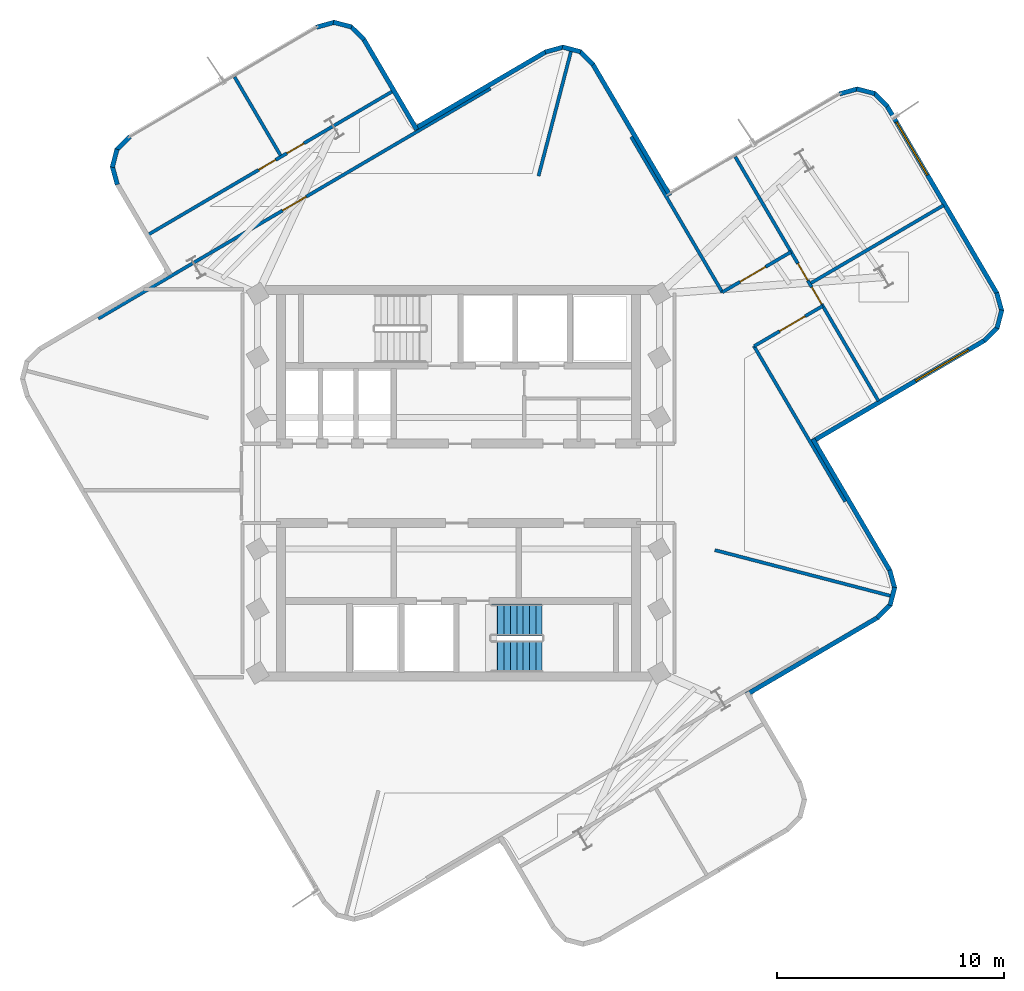
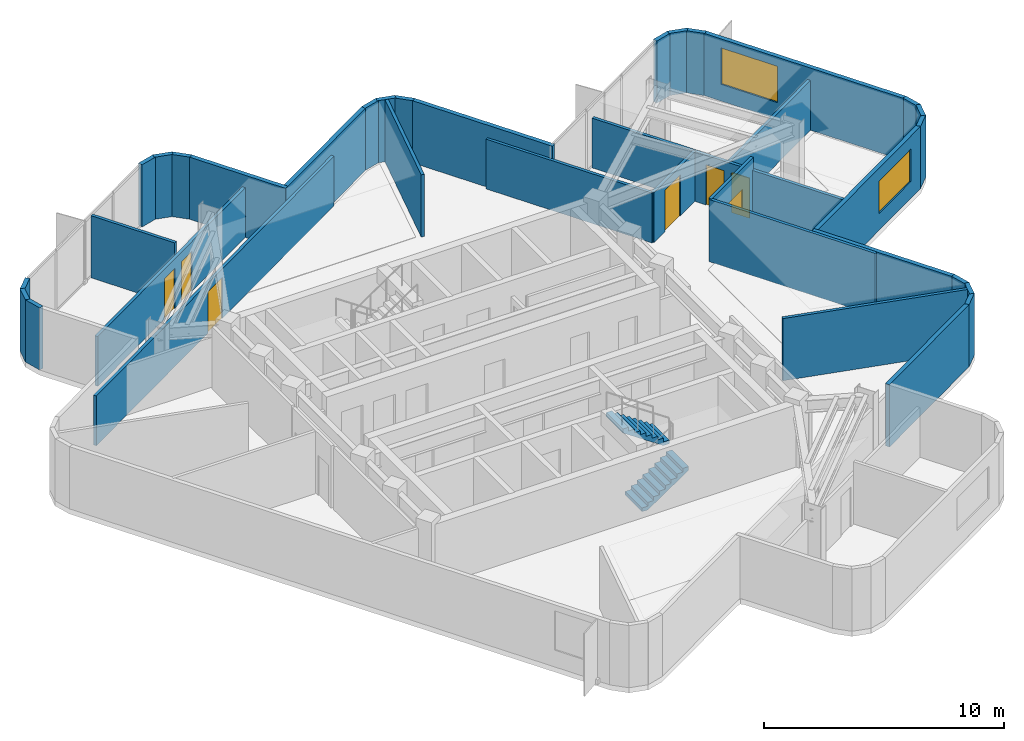
# One storey, part 5 of 8: 36 walls, 7 doors, 2 stair flights, 2 windows, 9 openings, 1 element without a shape of its own.
"""IFC4 building model written with IfcOpenShell, lengths in metres."""

import ifcopenshell
import ifcopenshell.guid

model = None  # the IFC model being written
_history = None  # IfcOwnerHistory: only IFC2X3 demands one
_inside = {}  # id of a spatial element -> (the spatial element, [elements in it])
_under = {}  # id of a project, library or spatial element -> (it, [spatial elements below it])
_declared = {}  # id of a project -> (the project, [libraries it declares])
_typed = {}  # id of a type object -> (the type object, [elements of that type])
_made_of = {}  # id of a material, layer set ... -> (it, [elements and type objects made of it])


def new_model(schema):
    """Start an empty IFC model of exactly this schema.

    Asked for "IFC4X3", IfcOpenShell would pick the latest addendum, in which some entities
    have other attributes; the version numbers below select the first issue.
    IFC2X3 requires an IfcOwnerHistory on every rooted entity: one is made here for all.
    """
    global model, _history
    if schema == "IFC4X3":
        model = ifcopenshell.file(schema_version=(4, 3, 0, 0))
    else:
        model = ifcopenshell.file(schema=schema)
    _inside.clear()
    _under.clear()
    _declared.clear()
    _typed.clear()
    _made_of.clear()
    _history = None
    if model.schema == "IFC2X3":
        org = make("IfcOrganization", Name="unknown")
        user = make(
            "IfcPersonAndOrganization",
            ThePerson=make("IfcPerson", FamilyName="unknown"),
            TheOrganization=org,
        )
        app = make(
            "IfcApplication",
            ApplicationDeveloper=org,
            Version="unknown",
            ApplicationFullName="unknown",
            ApplicationIdentifier="unknown",
        )
        _history = make(
            "IfcOwnerHistory",
            OwningUser=user,
            OwningApplication=app,
            ChangeAction="ADDED",
            CreationDate=0,
        )
    return model


def make(cls, **values):
    """One entity of the class cls with the attributes given. An attribute that is None is left unset."""
    return model.create_entity(
        cls, **{name: value for name, value in values.items() if value is not None}
    )


def rooted(cls, **values):
    """An entity with a GlobalId (a new one), such as an element, a storey or a relation."""
    return make(cls, GlobalId=ifcopenshell.guid.new(), OwnerHistory=_history, **values)


def si_unit(unit_type, name, prefix=None):
    """IfcSIUnit, for example si_unit("LENGTHUNIT", "METRE", prefix="MILLI")."""
    return make("IfcSIUnit", UnitType=unit_type, Prefix=prefix, Name=name)


def assignment(units):
    """IfcUnitAssignment: the units of a project."""
    return None if units is None else make("IfcUnitAssignment", Units=units)


def point(xyz):
    """IfcCartesianPoint."""
    return None if xyz is None else make("IfcCartesianPoint", Coordinates=xyz)


def direction(xyz):
    """IfcDirection."""
    return None if xyz is None else make("IfcDirection", DirectionRatios=xyz)


def frame(location, z_axis=None, x_axis=None):
    """IfcAxis2Placement3D, a coordinate frame: its origin and axes. An axis left out is left unset."""
    return make(
        "IfcAxis2Placement3D",
        Location=point(location),
        Axis=direction(z_axis),
        RefDirection=direction(x_axis),
    )


def frame_2d(location, x_axis=None):
    """IfcAxis2Placement2D, a coordinate frame in the plane: its origin and x axis."""
    return make(
        "IfcAxis2Placement2D", Location=point(location), RefDirection=direction(x_axis)
    )


def origin():
    """The frame at (0, 0, 0) with its axes left unset."""
    return frame((0.0, 0.0, 0.0))


def place(relative_to, where):
    """IfcLocalPlacement: puts the frame where relative to a parent placement (None: the world)."""
    return make(
        "IfcLocalPlacement", PlacementRelTo=relative_to, RelativePlacement=where
    )


def context(
    kind, dimensions, precision=None, world=None, true_north=None, identifier=None
):
    """IfcGeometricRepresentationContext, for example the 3D "Model" context."""
    return make(
        "IfcGeometricRepresentationContext",
        ContextIdentifier=identifier,
        ContextType=kind,
        CoordinateSpaceDimension=dimensions,
        Precision=precision,
        WorldCoordinateSystem=world,
        TrueNorth=true_north,
    )


def subcontext(parent, identifier, kind, view, scale=None):
    """IfcGeometricRepresentationSubContext, for example "Body" below "Model"."""
    return make(
        "IfcGeometricRepresentationSubContext",
        ContextIdentifier=identifier,
        ContextType=kind,
        ParentContext=parent,
        TargetScale=scale,
        TargetView=view,
    )


def project(units=None, contexts=None):
    """IfcProject with its units and contexts."""
    return rooted(
        "IfcProject",
        Name="project",
        RepresentationContexts=contexts,
        UnitsInContext=assignment(units),
    )


def spatial(cls, under=None, at=None, **own):
    """A site, building, storey or space (cls), placed at a placement, below another one or the project."""
    s = rooted(cls, ObjectPlacement=at, **own)
    if under is not None:
        _under.setdefault(under.id(), (under, []))[1].append(s)
    return s


def polyline(points):
    """IfcPolyline through the points."""
    return make("IfcPolyline", Points=[point(p) for p in points])


def profile(cls, at=None, kind="AREA", **sizes):
    """A parametric profile (cls). Its sizes go by their IFC names, for example OverallWidth=200.0."""
    return make(cls, ProfileType=kind, Position=at, **sizes)


def rectangle(**sizes):
    """IfcRectangleProfileDef."""
    return profile("IfcRectangleProfileDef", **sizes)


def outline(outer, holes=None, kind="AREA"):
    """IfcArbitraryClosedProfileDef: a profile drawn as a closed curve; with holes, ...WithVoids."""
    if holes is None:
        return make("IfcArbitraryClosedProfileDef", ProfileType=kind, OuterCurve=outer)
    return make(
        "IfcArbitraryProfileDefWithVoids",
        ProfileType=kind,
        OuterCurve=outer,
        InnerCurves=holes,
    )


def extrude(swept, where, along, depth):
    """IfcExtrudedAreaSolid: the profile swept, set in the frame where, extruded along a direction by depth."""
    return make(
        "IfcExtrudedAreaSolid",
        SweptArea=swept,
        Position=where,
        ExtrudedDirection=direction(along),
        Depth=depth,
    )


def shape(context_of_items, identifier, shape_type, items):
    """IfcShapeRepresentation: the items that make up one representation, for example the "Body"."""
    return make(
        "IfcShapeRepresentation",
        ContextOfItems=context_of_items,
        RepresentationIdentifier=identifier,
        RepresentationType=shape_type,
        Items=items,
    )


def material(Name=None, Category=None):
    """IfcMaterial."""
    return make("IfcMaterial", Name=Name, Category=Category)


def layer(
    of_material, thickness, ventilated=None, Name=None, Category=None, Priority=None
):
    """IfcMaterialLayer: one layer of a wall or slab, of a material (None: an air gap)."""
    return make(
        "IfcMaterialLayer",
        Material=of_material,
        LayerThickness=thickness,
        IsVentilated=ventilated,
        Name=Name,
        Category=Category,
        Priority=Priority,
    )


def layer_set(layers, Name=None):
    """IfcMaterialLayerSet."""
    return make("IfcMaterialLayerSet", MaterialLayers=layers, LayerSetName=Name)


def made_of(thing, what):
    """Note that an element or type object is made of a material, layer set ...; save() writes the relation."""
    if what is not None:
        _made_of.setdefault(what.id(), (what, []))[1].append(thing)
    return thing


def type_object(cls, material=None, **own):
    """A type object (cls), such as IfcWallType, which elements share."""
    return made_of(rooted(cls, **own), material)


def element(
    cls,
    number,
    at=None,
    inside=None,
    cuts=None,
    type_object=None,
    material=None,
    context=None,
    identifier="Body",
    shape_type=None,
    held_by="IfcProductDefinitionShape",
    body=None,
    shapes=None,
    **own,
):
    """One element of the class cls, such as IfcWall. Its Tag is "e" and its number.

    at: its placement. inside: the storey or other place that contains it. cuts: it is an
    opening in that element (IfcRelVoidsElement). A single representation is given by context,
    identifier, shape_type and body (its items); several are given by shapes. held_by: the class
    of the entity that holds the representations. save() writes the other relations.
    """
    e = rooted(cls, Tag="e%d" % number, ObjectPlacement=at, **own)
    if body is not None:
        shapes = [shape(context, identifier, shape_type, body)]
    if shapes is not None:
        e.Representation = make(held_by, Representations=shapes)
    if inside is not None:
        _inside.setdefault(inside.id(), (inside, []))[1].append(e)
    if cuts is not None:
        rooted(
            "IfcRelVoidsElement", RelatingBuildingElement=cuts, RelatedOpeningElement=e
        )
    if type_object is not None:
        _typed.setdefault(type_object.id(), (type_object, []))[1].append(e)
    return made_of(e, material)


def fill(opening, filler):
    """IfcRelFillsElement: the door or window that sits in an opening."""
    return rooted(
        "IfcRelFillsElement",
        RelatingOpeningElement=opening,
        RelatedBuildingElement=filler,
    )


def aggregate(whole, parts):
    """IfcRelAggregates: a whole, such as a stair, and the parts it consists of."""
    return rooted("IfcRelAggregates", RelatingObject=whole, RelatedObjects=parts)


def save(model, path):
    """Write the relations noted so far, then the file.

    IfcRelAggregates (storeys below a building ...), IfcRelContainedInSpatialStructure (elements
    in a storey), IfcRelDefinesByType, IfcRelAssociatesMaterial and IfcRelDeclares: one each for
    every whole, place, type object, material and project.
    """
    for whole, parts in _under.values():
        aggregate(whole, parts)
    for where, things in _inside.values():
        rooted(
            "IfcRelContainedInSpatialStructure",
            RelatedElements=things,
            RelatingStructure=where,
        )
    for kind, things in _typed.values():
        rooted("IfcRelDefinesByType", RelatedObjects=things, RelatingType=kind)
    for what, things in _made_of.values():
        rooted("IfcRelAssociatesMaterial", RelatedObjects=things, RelatingMaterial=what)
    for by, libraries in _declared.values():
        rooted("IfcRelDeclares", RelatingContext=by, RelatedDefinitions=libraries)
    model.write(path)


model = new_model("IFC4")

# Units and contexts
model_context = context("Model", 3, precision=1e-05, world=origin(), true_north=direction((0.0, 1.0)))
body_context = subcontext(model_context, "Body", "Model", "MODEL_VIEW")
ifc_project = project(units=[si_unit("LENGTHUNIT", "METRE"), si_unit("AREAUNIT", "SQUARE_METRE"), si_unit("VOLUMEUNIT", "CUBIC_METRE"), si_unit("PLANEANGLEUNIT", "RADIAN"), si_unit("MASSUNIT", "GRAM", prefix="KILO")], contexts=[model_context])

# Site, building, storey
site_placement = place(None, origin())
site = spatial("IfcSite", under=ifc_project, at=site_placement, CompositionType="ELEMENT")
building_placement = place(site_placement, origin())
building = spatial("IfcBuilding", under=site, at=building_placement, Name="Solmarez Civic Tower", CompositionType="ELEMENT")
storey_placement = place(building_placement, frame((0.0, 0.0, 205.199951171875)))
storey = spatial("IfcBuildingStorey", under=building, at=storey_placement, Name="L54", CompositionType="ELEMENT", Elevation=205.199951171875)

# Walls
ifc_material_1 = material(Name="Precast concrete C40/50", Category="concrete")
ifc_layer_1 = layer(ifc_material_1, 0.199951171875)
ifc_layer_set_1 = layer_set([ifc_layer_1], Name="Precast concrete C40/50")
wall_type_1 = type_object("IfcWallType", Name="WALL-EXT-200", PredefinedType="SOLIDWALL", material=ifc_layer_set_1)
wall_1_placement = place(storey_placement, frame((-15.034912109375, 13.1640625, 0.0), z_axis=(0.0, 0.0, 1.0), x_axis=(-0.266246353668, 0.963905015631, 0.0)))
element("IfcWall", 1, at=wall_1_placement, inside=storey, type_object=wall_type_1, Name="L54 Exterior Precast Wall 14", PredefinedType="SOLIDWALL", context=body_context, shape_type="SweptSolid", body=[
    extrude(rectangle(XDim=0.838134765625, YDim=0.199951171875, at=frame_2d((0.4189453125, 0.0))), origin(), (0.0, 0.0, 1.0), 3.16015625),
])
wall_2_placement = place(storey_placement, frame((-15.257080078125, 13.924072265625, 0.0), z_axis=(0.0, 0.0, 1.0), x_axis=(0.251167733737, 0.967943577658, 0.0)))
element("IfcWall", 2, at=wall_2_placement, inside=storey, type_object=wall_type_1, Name="L54 Exterior Precast Wall 15", PredefinedType="SOLIDWALL", context=body_context, shape_type="SweptSolid", body=[
    extrude(rectangle(XDim=0.82421875, YDim=0.199951171875, at=frame_2d((0.412109375, 0.0))), origin(), (0.0, 0.0, 1.0), 3.16015625),
])
wall_3_placement = place(storey_placement, frame((-15.073974609375, 14.679931640625, 0.0), z_axis=(0.0, 0.0, 1.0), x_axis=(0.702877524881, 0.711310891957, 0.0)))
element("IfcWall", 3, at=wall_3_placement, inside=storey, type_object=wall_type_1, Name="L54 Exterior Precast Wall 16", PredefinedType="SOLIDWALL", context=body_context, shape_type="SweptSolid", body=[
    extrude(rectangle(XDim=0.839599609375, YDim=0.199951171875, at=frame_2d((0.419921875, 0.0))), origin(), (0.0, 0.0, 1.0), 3.16015625),
])
wall_4_placement = place(storey_placement, frame((-6.26904296875, 20.096923828125, 0.0), z_axis=(0.0, 0.0, 1.0), x_axis=(0.963925656212, 0.266171616247, 0.0)))
element("IfcWall", 4, at=wall_4_placement, inside=storey, type_object=wall_type_1, Name="L54 Exterior Precast Wall 18", PredefinedType="SOLIDWALL", context=body_context, shape_type="SweptSolid", body=[
    extrude(rectangle(XDim=0.83837890625, YDim=0.199951171875, at=frame_2d((0.419189453125, 0.0))), origin(), (0.0, 0.0, 1.0), 3.16015625),
])
wall_5_placement = place(storey_placement, frame((-5.509033203125, 20.319091796875, 0.0), z_axis=(0.0, 0.0, 1.0), x_axis=(0.967962254737, -0.251095745493, 0.0)))
element("IfcWall", 5, at=wall_5_placement, inside=storey, type_object=wall_type_1, Name="L54 Exterior Precast Wall 19", PredefinedType="SOLIDWALL", context=body_context, shape_type="SweptSolid", body=[
    extrude(rectangle(XDim=0.824462890625, YDim=0.199951171875, at=frame_2d((0.412109375, 0.0))), origin(), (0.0, 0.0, 1.0), 3.16015625),
])
wall_6_placement = place(storey_placement, frame((-4.7529296875, 20.135986328125, 0.0), z_axis=(0.0, 0.0, 1.0), x_axis=(0.711167178618, -0.70302293281, 0.0)))
element("IfcWall", 6, at=wall_6_placement, inside=storey, type_object=wall_type_1, Name="L54 Exterior Precast Wall 20", PredefinedType="SOLIDWALL", context=body_context, shape_type="SweptSolid", body=[
    extrude(rectangle(XDim=0.83935546875, YDim=0.199951171875, at=frame_2d((0.419677734375, 0.0))), origin(), (0.0, 0.0, 1.0), 3.16015625),
])
wall_7_placement = place(storey_placement, frame((-4.18701171875, 19.5859375, 0.0), z_axis=(0.0, 0.0, 1.0), x_axis=(0.505936854923, -0.862570518178, 0.0)))
element("IfcWall", 7, at=wall_7_placement, inside=storey, type_object=wall_type_1, Name="L54 Exterior Precast Wall 21", PredefinedType="SOLIDWALL", context=body_context, shape_type="SweptSolid", body=[
    extrude(rectangle(XDim=4.640625, YDim=0.199951171875, at=frame_2d((2.3203125, 0.0))), origin(), (0.0, 0.0, 1.0), 3.16015625),
])
wall_8_placement = place(storey_placement, frame((-1.947998046875, 15.612060546875, 0.0), z_axis=(0.0, 0.0, 1.0), x_axis=(0.86259717351, 0.505891407569, 0.0)))
element("IfcWall", 8, at=wall_8_placement, inside=storey, type_object=wall_type_1, Name="L54 Exterior Precast Wall 24", PredefinedType="SOLIDWALL", context=body_context, shape_type="SweptSolid", body=[
    extrude(rectangle(XDim=6.742431640625, YDim=0.199951171875, at=frame_2d((3.37109375, 0.0))), origin(), (0.0, 0.0, 1.0), 3.16015625),
])
wall_9_placement = place(storey_placement, frame((3.822021484375, 19.0029296875, 0.0), z_axis=(0.0, 0.0, 1.0), x_axis=(0.963905015631, 0.266246353668, 0.0)))
element("IfcWall", 9, at=wall_9_placement, inside=storey, type_object=wall_type_1, Name="L54 Exterior Precast Wall 25", PredefinedType="SOLIDWALL", context=body_context, shape_type="SweptSolid", body=[
    extrude(rectangle(XDim=0.838134765625, YDim=0.199951171875, at=frame_2d((0.4189453125, 0.0))), origin(), (0.0, 0.0, 1.0), 3.16015625),
])
wall_10_placement = place(storey_placement, frame((4.58203125, 19.22509765625, 0.0), z_axis=(0.0, 0.0, 1.0), x_axis=(0.967943577658, -0.251167733737, 0.0)))
element("IfcWall", 10, at=wall_10_placement, inside=storey, type_object=wall_type_1, Name="L54 Exterior Precast Wall 26", PredefinedType="SOLIDWALL", context=body_context, shape_type="SweptSolid", body=[
    extrude(rectangle(XDim=0.82421875, YDim=0.199951171875, at=frame_2d((0.412109375, 0.0))), origin(), (0.0, 0.0, 1.0), 3.16015625),
])
wall_11_placement = place(storey_placement, frame((5.337890625, 19.0419921875, 0.0), z_axis=(0.0, 0.0, 1.0), x_axis=(0.711310891957, -0.702877524881, 0.0)))
element("IfcWall", 11, at=wall_11_placement, inside=storey, type_object=wall_type_1, Name="L54 Exterior Precast Wall 27", PredefinedType="SOLIDWALL", context=body_context, shape_type="SweptSolid", body=[
    extrude(rectangle(XDim=0.839599609375, YDim=0.199951171875, at=frame_2d((0.419921875, 0.0))), origin(), (0.0, 0.0, 1.0), 3.16015625),
])
wall_12_placement = place(storey_placement, frame((5.904052734375, 18.491943359375, 0.0), z_axis=(0.0, 0.0, 1.0), x_axis=(0.506017844805, -0.862523008817, 0.0)))
element("IfcWall", 12, at=wall_12_placement, inside=storey, type_object=wall_type_1, Name="L54 Exterior Precast Wall 28", PredefinedType="SOLIDWALL", context=body_context, shape_type="SweptSolid", body=[
    extrude(rectangle(XDim=6.74072265625, YDim=0.199951171875, at=frame_2d((3.370361328125, 0.0))), origin(), (0.0, 0.0, 1.0), 3.16015625),
])
wall_13_placement = place(storey_placement, frame((16.787109375, 17.159912109375, 0.0), z_axis=(0.0, 0.0, 1.0), x_axis=(0.963905015631, 0.266246353668, 0.0)))
element("IfcWall", 13, at=wall_13_placement, inside=storey, type_object=wall_type_1, Name="L54 Exterior Precast Wall 32", PredefinedType="SOLIDWALL", context=body_context, shape_type="SweptSolid", body=[
    extrude(rectangle(XDim=0.838134765625, YDim=0.199951171875, at=frame_2d((0.4189453125, 0.0))), origin(), (0.0, 0.0, 1.0), 3.16015625),
])
wall_14_placement = place(storey_placement, frame((17.547119140625, 17.382080078125, 0.0), z_axis=(0.0, 0.0, 1.0), x_axis=(0.967943577658, -0.251167733737, 0.0)))
element("IfcWall", 14, at=wall_14_placement, inside=storey, type_object=wall_type_1, Name="L54 Exterior Precast Wall 33", PredefinedType="SOLIDWALL", context=body_context, shape_type="SweptSolid", body=[
    extrude(rectangle(XDim=0.82421875, YDim=0.199951171875, at=frame_2d((0.412109375, 0.0))), origin(), (0.0, 0.0, 1.0), 3.16015625),
])
wall_15_placement = place(storey_placement, frame((18.302978515625, 17.198974609375, 0.0), z_axis=(0.0, 0.0, 1.0), x_axis=(0.711894657832, -0.702286263677, 0.0)))
element("IfcWall", 15, at=wall_15_placement, inside=storey, type_object=wall_type_1, Name="L54 Exterior Precast Wall 34", PredefinedType="SOLIDWALL", context=body_context, shape_type="SweptSolid", body=[
    extrude(rectangle(XDim=0.83837890625, YDim=0.199951171875, at=frame_2d((0.419189453125, 0.0))), origin(), (0.0, 0.0, 1.0), 3.16015625),
])

# Wall, opening, window
wall_16_placement = place(storey_placement, frame((18.868896484375, 16.64990234375, 0.0), z_axis=(0.0, 0.0, 1.0), x_axis=(0.505984418435, -0.862542618252, 0.0)))
wall_16 = element("IfcWall", 16, at=wall_16_placement, inside=storey, type_object=wall_type_1, Name="L54 Exterior Precast Wall 35", PredefinedType="SOLIDWALL", context=body_context, shape_type="SweptSolid", body=[
    extrude(rectangle(XDim=9.625, YDim=0.199951171875, at=frame_2d((4.8125, 0.0))), origin(), (0.0, 0.0, 1.0), 3.16015625),
])
opening_1_placement = place(wall_16_placement, frame((0.85009765625, 0.0, 0.85009765625)))
opening_1 = element("IfcOpeningElement", 17, at=opening_1_placement, cuts=wall_16, Name="Opening W-05", PredefinedType="OPENING", context=body_context, shape_type="SweptSolid", body=[
    extrude(rectangle(XDim=2.699951171875, YDim=1.85009765625, at=frame_2d((1.35009765625, 0.925048828125))), frame((0.0, 0.10986328125, 0.0), z_axis=(0.0, -1.0, 0.0), x_axis=(1.0, 0.0, 0.0)), (0.0, 0.0, 1.0), 0.219970703125),
])
ifc_material_2 = material(Name="Solar Control Bronze-Tinted Insulating Glass", Category="glass")
window_type_1 = type_object("IfcWindowType", Name="WIN-2700X1850", PartitioningType="SINGLE_PANEL", PredefinedType="WINDOW", material=ifc_material_2)
window_1_placement = place(opening_1_placement, origin())
window_1 = element("IfcWindow", 18, at=window_1_placement, inside=storey, type_object=window_type_1, Name="L54 Exterior Facade Window 35", OverallHeight=1.85009765625, OverallWidth=2.699951171875, PartitioningType="SINGLE_PANEL", PredefinedType="WINDOW", context=body_context, shape_type="SweptSolid", body=[
    extrude(rectangle(XDim=2.699951171875, YDim=1.85009765625, at=frame_2d((1.35009765625, 0.925048828125))), frame((0.0, 0.030029296875, 0.0), z_axis=(0.0, -1.0, 0.0), x_axis=(1.0, 0.0, 0.0)), (0.0, 0.0, 1.0), 0.06005859375),
])
fill(opening_1, window_1)

# Walls
wall_17_placement = place(storey_placement, frame((23.718994140625, 8.39404296875, 0.0), z_axis=(0.0, 0.0, 1.0), x_axis=(0.267253449678, -0.963626272803, 0.0)))
element("IfcWall", 19, at=wall_17_placement, inside=storey, type_object=wall_type_1, Name="L54 Exterior Precast Wall 36", PredefinedType="SOLIDWALL", context=body_context, shape_type="SweptSolid", body=[
    extrude(rectangle(XDim=0.838623046875, YDim=0.199951171875, at=frame_2d((0.41943359375, 0.0))), origin(), (0.0, 0.0, 1.0), 3.16015625),
])
wall_18_placement = place(storey_placement, frame((23.94189453125, 7.634033203125, 0.0), z_axis=(0.0, 0.0, 1.0), x_axis=(-0.252494280442, -0.967598386906, 0.0)))
element("IfcWall", 20, at=wall_18_placement, inside=storey, type_object=wall_type_1, Name="L54 Exterior Precast Wall 37", PredefinedType="SOLIDWALL", context=body_context, shape_type="SweptSolid", body=[
    extrude(rectangle(XDim=0.82373046875, YDim=0.199951171875, at=frame_2d((0.411865234375, 0.0))), origin(), (0.0, 0.0, 1.0), 3.16015625),
])
wall_19_placement = place(storey_placement, frame((23.758056640625, 6.87890625, 0.0), z_axis=(0.0, 0.0, 1.0), x_axis=(-0.701851868682, -0.712322928472, 0.0)))
element("IfcWall", 21, at=wall_19_placement, inside=storey, type_object=wall_type_1, Name="L54 Exterior Precast Wall 38", PredefinedType="SOLIDWALL", context=body_context, shape_type="SweptSolid", body=[
    extrude(rectangle(XDim=0.83935546875, YDim=0.199951171875, at=frame_2d((0.419677734375, 0.0))), origin(), (0.0, 0.0, 1.0), 3.16015625),
])

# Wall, opening, window
wall_20_placement = place(storey_placement, frame((23.208984375, 6.31201171875, 0.0), z_axis=(0.0, 0.0, 1.0), x_axis=(-0.862602827395, -0.505881766988, 0.0)))
wall_20 = element("IfcWall", 22, at=wall_20_placement, inside=storey, type_object=wall_type_1, Name="L54 Exterior Precast Wall 39", PredefinedType="SOLIDWALL", context=body_context, shape_type="SweptSolid", body=[
    extrude(rectangle(XDim=8.841796875, YDim=0.199951171875, at=frame_2d((4.4208984375, 0.0))), origin(), (0.0, 0.0, 1.0), 3.16015625),
])
opening_2_placement = place(wall_20_placement, frame((0.85009765625, 0.0, 0.85009765625)))
opening_2 = element("IfcOpeningElement", 23, at=opening_2_placement, cuts=wall_20, Name="Opening W-09", PredefinedType="OPENING", context=body_context, shape_type="SweptSolid", body=[
    extrude(rectangle(XDim=2.699951171875, YDim=1.64990234375, at=frame_2d((1.35009765625, 0.824951171875))), frame((0.0, 0.10986328125, 0.0), z_axis=(0.0, -1.0, 0.0), x_axis=(1.0, 0.0, 0.0)), (0.0, 0.0, 1.0), 0.219970703125),
])
window_type_2 = type_object("IfcWindowType", Name="WIN-2700X1650", PartitioningType="SINGLE_PANEL", PredefinedType="WINDOW", material=ifc_material_2)
window_2_placement = place(opening_2_placement, origin())
window_2 = element("IfcWindow", 24, at=window_2_placement, inside=storey, type_object=window_type_2, Name="L54 Exterior Facade Window 39", OverallHeight=1.64990234375, OverallWidth=2.699951171875, PartitioningType="SINGLE_PANEL", PredefinedType="WINDOW", context=body_context, shape_type="SweptSolid", body=[
    extrude(rectangle(XDim=2.699951171875, YDim=1.64990234375, at=frame_2d((1.35009765625, 0.824951171875))), frame((0.0, 0.030029296875, 0.0), z_axis=(0.0, -1.0, 0.0), x_axis=(1.0, 0.0, 0.0)), (0.0, 0.0, 1.0), 0.06005859375),
])
fill(opening_2, window_2)

# Walls
wall_21_placement = place(storey_placement, frame((15.611083984375, 1.947998046875, 0.0), z_axis=(0.0, 0.0, 1.0), x_axis=(0.505999167705, -0.862533965872, 0.0)))
element("IfcWall", 25, at=wall_21_placement, inside=storey, type_object=wall_type_1, Name="L54 Exterior Precast Wall 42", PredefinedType="SOLIDWALL", context=body_context, shape_type="SweptSolid", body=[
    extrude(rectangle(XDim=6.742919921875, YDim=0.199951171875, at=frame_2d((3.37158203125, 0.0))), origin(), (0.0, 0.0, 1.0), 3.16015625),
])
wall_22_placement = place(storey_placement, frame((19.0029296875, -3.822021484375, 0.0), z_axis=(0.0, 0.0, 1.0), x_axis=(0.266246353668, -0.963905015631, 0.0)))
element("IfcWall", 26, at=wall_22_placement, inside=storey, type_object=wall_type_1, Name="L54 Exterior Precast Wall 43", PredefinedType="SOLIDWALL", context=body_context, shape_type="SweptSolid", body=[
    extrude(rectangle(XDim=0.838134765625, YDim=0.199951171875, at=frame_2d((0.4189453125, 0.0))), origin(), (0.0, 0.0, 1.0), 3.16015625),
])
wall_23_placement = place(storey_placement, frame((19.22509765625, -4.58203125, 0.0), z_axis=(0.0, 0.0, 1.0), x_axis=(-0.251167733737, -0.967943577658, 0.0)))
element("IfcWall", 27, at=wall_23_placement, inside=storey, type_object=wall_type_1, Name="L54 Exterior Precast Wall 44", PredefinedType="SOLIDWALL", context=body_context, shape_type="SweptSolid", body=[
    extrude(rectangle(XDim=0.82421875, YDim=0.199951171875, at=frame_2d((0.412109375, 0.0))), origin(), (0.0, 0.0, 1.0), 3.16015625),
])
wall_24_placement = place(storey_placement, frame((19.0419921875, -5.337890625, 0.0), z_axis=(0.0, 0.0, 1.0), x_axis=(-0.702877524881, -0.711310891957, 0.0)))
element("IfcWall", 28, at=wall_24_placement, inside=storey, type_object=wall_type_1, Name="L54 Exterior Precast Wall 45", PredefinedType="SOLIDWALL", context=body_context, shape_type="SweptSolid", body=[
    extrude(rectangle(XDim=0.839599609375, YDim=0.199951171875, at=frame_2d((0.419921875, 0.0))), origin(), (0.0, 0.0, 1.0), 3.16015625),
])
wall_25_placement = place(storey_placement, frame((18.491943359375, -5.904052734375, 0.0), z_axis=(0.0, 0.0, 1.0), x_axis=(-0.86245977502, -0.506125613333, 0.0)))
element("IfcWall", 29, at=wall_25_placement, inside=storey, type_object=wall_type_1, Name="L54 Exterior Precast Wall 46", PredefinedType="SOLIDWALL", context=body_context, shape_type="SweptSolid", body=[
    extrude(rectangle(XDim=6.7412109375, YDim=0.199951171875, at=frame_2d((3.37060546875, 0.0))), origin(), (0.0, 0.0, 1.0), 3.16015625),
])
ifc_material_3 = material(Name="Gypsum Board Acoustic Steel-Stud Partition", Category="steel")
ifc_layer_2 = layer(ifc_material_3, 0.14501953125)
ifc_layer_set_2 = layer_set([ifc_layer_2], Name="Gypsum Board Acoustic Steel-Stud Partition")
wall_type_2 = type_object("IfcWallType", Name="WALL-INT-PART-150", PredefinedType="PARTITIONING", material=ifc_layer_set_2)
wall_26_placement = place(storey_placement, frame((3.527099609375, 13.5400390625, 0.0), z_axis=(0.0, 0.0, 1.0), x_axis=(0.252132617321, 0.967692690519, 0.0)))
element("IfcWall", 30, at=wall_26_placement, inside=storey, type_object=wall_type_2, Name="L54 Interior Partition PT-L54-QDIV-1", PredefinedType="PARTITIONING", context=body_context, shape_type="SweptSolid", body=[
    extrude(rectangle(XDim=5.703369140625, YDim=0.14501953125, at=frame_2d((2.8515625, 0.0))), origin(), (0.0, 0.0, 1.0), 3.16015625),
])
wall_27_placement = place(storey_placement, frame((11.300048828125, -2.944091796875, 0.0), z_axis=(0.0, 0.0, 1.0), x_axis=(0.967711624716, -0.252059936106, 0.0)))
element("IfcWall", 31, at=wall_27_placement, inside=storey, type_object=wall_type_2, Name="L54 Interior Partition PT-L54-QDIV-4", PredefinedType="PARTITIONING", context=body_context, shape_type="SweptSolid", body=[
    extrude(rectangle(XDim=8.017822265625, YDim=0.14501953125, at=frame_2d((4.0087890625, 0.0))), origin(), (0.0, 0.0, 1.0), 3.16015625),
])
wall_28_placement = place(storey_placement, frame((11.632080078125, 8.4130859375, 0.0), z_axis=(0.0, 0.0, 1.0), x_axis=(-0.506057561451, 0.862499706955, 0.0)))
element("IfcWall", 32, at=wall_28_placement, inside=storey, type_object=wall_type_2, Name="L54 Interior Partition PT-L54-E-EFL", PredefinedType="PARTITIONING", context=body_context, shape_type="SweptSolid", body=[
    extrude(rectangle(XDim=7.949951171875, YDim=0.14501953125, at=frame_2d((3.97509765625, 0.0))), origin(), (0.0, 0.0, 1.0), 2.530029296875),
])
wall_29_placement = place(storey_placement, frame((17.041015625, -0.806884765625, 0.0), z_axis=(0.0, 0.0, 1.0), x_axis=(-0.505943324238, 0.862566723598, 0.0)))
element("IfcWall", 33, at=wall_29_placement, inside=storey, type_object=wall_type_2, Name="L54 Interior Partition PT-L54-E-EFR", PredefinedType="PARTITIONING", context=body_context, shape_type="SweptSolid", body=[
    extrude(rectangle(XDim=7.949462890625, YDim=0.14501953125, at=frame_2d((3.974609375, 0.0))), origin(), (0.0, 0.0, 1.0), 3.16015625),
])

# Wall, opening, door
wall_30_placement = place(storey_placement, frame((14.654052734375, 10.197998046875, 0.0), z_axis=(0.0, 0.0, 1.0), x_axis=(-0.862375516706, -0.506269165747, 0.0)))
wall_30 = element("IfcWall", 34, at=wall_30_placement, inside=storey, type_object=wall_type_2, Name="L54 Interior Partition PT-L54-E-SL", PredefinedType="PARTITIONING", context=body_context, shape_type="SweptSolid", body=[
    extrude(rectangle(XDim=3.51025390625, YDim=0.14501953125, at=frame_2d((1.755126953125, 0.0))), origin(), (0.0, 0.0, 1.0), 2.530029296875),
])
opening_3_placement = place(wall_30_placement, frame((1.304931640625, 0.0, 0.0)))
opening_3 = element("IfcOpeningElement", 35, at=opening_3_placement, cuts=wall_30, Name="Opening D-15", PredefinedType="OPENING", context=body_context, shape_type="SweptSolid", body=[
    extrude(rectangle(XDim=1.300048828125, YDim=2.10009765625, at=frame_2d((0.64990234375, 1.050048828125))), frame((0.0, 0.08251953125, 0.0), z_axis=(0.0, -1.0, 0.0), x_axis=(1.0, 0.0, 0.0)), (0.0, 0.0, 1.0), 0.1650390625),
])
ifc_material_4 = material(Name="Tribunal Hearing Conference Door", Category="wood")
door_type_1 = type_object("IfcDoorType", Name="DOOR-INT-1300", OperationType="NOTDEFINED", PredefinedType="DOOR", material=ifc_material_4)
door_1_placement = place(opening_3_placement, origin())
door_1 = element("IfcDoor", 36, at=door_1_placement, inside=storey, type_object=door_type_1, Name="L54 Ministry Open Workspace East Door", OperationType="SINGLE_SWING_LEFT", OverallHeight=2.10009765625, OverallWidth=1.300048828125, PredefinedType="DOOR", context=body_context, shape_type="SweptSolid", body=[
    extrude(rectangle(XDim=1.300048828125, YDim=2.10009765625, at=frame_2d((0.64990234375, 1.050048828125))), frame((0.0, 0.02490234375, 0.0), z_axis=(0.0, -1.0, 0.0), x_axis=(1.0, 0.0, 0.0)), (0.0, 0.0, 1.0), 0.050048828125),
])
fill(opening_3, door_1)

wall_31_placement = place(storey_placement, frame((13.02392578125, 6.041015625, 0.0), z_axis=(0.0, 0.0, 1.0), x_axis=(0.862527334663, 0.506010471195, 0.0)))
wall_31 = element("IfcWall", 37, at=wall_31_placement, inside=storey, type_object=wall_type_2, Name="L54 Interior Partition PT-L54-E-SR", PredefinedType="PARTITIONING", context=body_context, shape_type="SweptSolid", body=[
    extrude(rectangle(XDim=3.509521484375, YDim=0.14501953125, at=frame_2d((1.7548828125, 0.0))), origin(), (0.0, 0.0, 1.0), 3.16015625),
])
opening_4_placement = place(wall_31_placement, frame((1.304931640625, 0.0, 0.0)))
opening_4 = element("IfcOpeningElement", 38, at=opening_4_placement, cuts=wall_31, Name="Opening D-15", PredefinedType="OPENING", context=body_context, shape_type="SweptSolid", body=[
    extrude(rectangle(XDim=1.300048828125, YDim=2.10009765625, at=frame_2d((0.64990234375, 1.050048828125))), frame((0.0, 0.08251953125, 0.0), z_axis=(0.0, -1.0, 0.0), x_axis=(1.0, 0.0, 0.0)), (0.0, 0.0, 1.0), 0.1650390625),
])
door_2_placement = place(opening_4_placement, origin())
door_2 = element("IfcDoor", 39, at=door_2_placement, inside=storey, type_object=door_type_1, Name="L54 Directorate Office East Door", OperationType="SINGLE_SWING_RIGHT", OverallHeight=2.10009765625, OverallWidth=1.300048828125, PredefinedType="DOOR", context=body_context, shape_type="SweptSolid", body=[
    extrude(rectangle(XDim=1.300048828125, YDim=2.10009765625, at=frame_2d((0.64990234375, 1.050048828125))), frame((0.0, 0.02490234375, 0.0), z_axis=(0.0, -1.0, 0.0), x_axis=(1.0, 0.0, 0.0)), (0.0, 0.0, 1.0), 0.050048828125),
])
fill(opening_4, door_2)

# Wall
wall_32_placement = place(storey_placement, frame((15.531005859375, 8.822021484375, 0.0), z_axis=(0.0, 0.0, 1.0), x_axis=(0.862494081005, 0.506067149923, 0.0)))
element("IfcWall", 40, at=wall_32_placement, inside=storey, type_object=wall_type_2, Name="L54 Interior Partition PT-L54-E-TM", PredefinedType="PARTITIONING", context=body_context, shape_type="SweptSolid", body=[
    extrude(rectangle(XDim=6.775634765625, YDim=0.14501953125, at=frame_2d((3.3876953125, 0.0))), origin(), (0.0, 0.0, 1.0), 2.530029296875),
])

# Wall, openings, doors
wall_33_placement = place(storey_placement, frame((12.197998046875, 14.385009765625, 0.0), z_axis=(0.0, 0.0, 1.0), x_axis=(0.506037527975, -0.862511460956, 0.0)))
wall_33 = element("IfcWall", 41, at=wall_33_placement, inside=storey, type_object=wall_type_2, Name="L54 Interior Partition PT-L54-E-END", PredefinedType="PARTITIONING", context=body_context, shape_type="SweptSolid", body=[
    extrude(rectangle(XDim=12.469482421875, YDim=0.14501953125, at=frame_2d((6.23486328125, 0.0))), origin(), (0.0, 0.0, 1.0), 2.530029296875),
])
opening_5_placement = place(wall_33_placement, frame((6.655029296875, 0.0, 0.0)))
opening_5 = element("IfcOpeningElement", 42, at=opening_5_placement, cuts=wall_33, Name="Opening D-14", PredefinedType="OPENING", context=body_context, shape_type="SweptSolid", body=[
    extrude(rectangle(XDim=0.860107421875, YDim=2.0400390625, at=frame_2d((0.43017578125, 1.02001953125))), frame((0.0, 0.08251953125, 0.0), z_axis=(0.0, -1.0, 0.0), x_axis=(1.0, 0.0, 0.0)), (0.0, 0.0, 1.0), 0.1650390625),
])
opening_6_placement = place(wall_33_placement, frame((5.455078125, 0.0, 0.0)))
opening_6 = element("IfcOpeningElement", 43, at=opening_6_placement, cuts=wall_33, Name="Opening D-14", PredefinedType="OPENING", context=body_context, shape_type="SweptSolid", body=[
    extrude(rectangle(XDim=0.860107421875, YDim=2.0400390625, at=frame_2d((0.43017578125, 1.02001953125))), frame((0.0, 0.08251953125, 0.0), z_axis=(0.0, -1.0, 0.0), x_axis=(1.0, 0.0, 0.0)), (0.0, 0.0, 1.0), 0.1650390625),
])
ifc_material_5 = material(Name="Timber Storage and Pantry Door", Category="wood")
door_type_2 = type_object("IfcDoorType", Name="DOOR-INT-850", OperationType="NOTDEFINED", PredefinedType="DOOR", material=ifc_material_5)
door_3_placement = place(opening_5_placement, origin())
door_3 = element("IfcDoor", 44, at=door_3_placement, inside=storey, type_object=door_type_2, Name="L54 Staff Pantry Sixth East Door", OperationType="SINGLE_SWING_RIGHT", OverallHeight=2.0400390625, OverallWidth=0.860107421875, PredefinedType="DOOR", context=body_context, shape_type="SweptSolid", body=[
    extrude(rectangle(XDim=0.860107421875, YDim=2.0400390625, at=frame_2d((0.43017578125, 1.02001953125))), frame((0.0, 0.02490234375, 0.0), z_axis=(0.0, -1.0, 0.0), x_axis=(1.0, 0.0, 0.0)), (0.0, 0.0, 1.0), 0.050048828125),
])
fill(opening_5, door_3)
door_4_placement = place(opening_6_placement, origin())
door_4 = element("IfcDoor", 45, at=door_4_placement, inside=storey, type_object=door_type_2, Name="L54 Policy Boardroom Fifth East Door", OperationType="SINGLE_SWING_LEFT", OverallHeight=2.0400390625, OverallWidth=0.860107421875, PredefinedType="DOOR", context=body_context, shape_type="SweptSolid", body=[
    extrude(rectangle(XDim=0.860107421875, YDim=2.0400390625, at=frame_2d((0.43017578125, 1.02001953125))), frame((0.0, 0.02490234375, 0.0), z_axis=(0.0, -1.0, 0.0), x_axis=(1.0, 0.0, 0.0)), (0.0, 0.0, 1.0), 0.050048828125),
])
fill(opening_6, door_4)

# Wall, opening, door
wall_34_placement = place(storey_placement, frame((-15.873046875, 7.2548828125, 0.0), z_axis=(0.0, 0.0, 1.0), x_axis=(0.862498672631, 0.506059324299, 0.0)))
wall_34 = element("IfcWall", 46, at=wall_34_placement, inside=storey, type_object=wall_type_2, Name="L54 Interior Partition PT-L54-N-ENT", PredefinedType="PARTITIONING", context=body_context, shape_type="SweptSolid", body=[
    extrude(rectangle(XDim=20.039306640625, YDim=0.14501953125, at=frame_2d((10.01953125, 0.0))), origin(), (0.0, 0.0, 1.0), 2.530029296875),
])
opening_7_placement = place(wall_34_placement, frame((9.419921875, 0.0, 0.0)))
opening_7 = element("IfcOpeningElement", 47, at=opening_7_placement, cuts=wall_34, Name="Opening D-11", PredefinedType="OPENING", context=body_context, shape_type="SweptSolid", body=[
    extrude(rectangle(XDim=1.199951171875, YDim=2.10009765625, at=frame_2d((0.60009765625, 1.050048828125))), frame((0.0, 0.08251953125, 0.0), z_axis=(0.0, -1.0, 0.0), x_axis=(1.0, 0.0, 0.0)), (0.0, 0.0, 1.0), 0.1650390625),
])
ifc_material_6 = material(Name="Glazed-Vision Acoustic Chamber Door", Category="wood")
door_type_3 = type_object("IfcDoorType", Name="DOOR-INT-1200", OperationType="NOTDEFINED", PredefinedType="DOOR", material=ifc_material_6)
door_5_placement = place(opening_7_placement, origin())
door_5 = element("IfcDoor", 48, at=door_5_placement, inside=storey, type_object=door_type_3, Name="L54 Directorate Office First North Door", OperationType="SINGLE_SWING_LEFT", OverallHeight=2.10009765625, OverallWidth=1.199951171875, PredefinedType="DOOR", context=body_context, shape_type="SweptSolid", body=[
    extrude(rectangle(XDim=1.199951171875, YDim=2.10009765625, at=frame_2d((0.60009765625, 1.050048828125))), frame((0.0, 0.02490234375, 0.0), z_axis=(0.0, -1.0, 0.0), x_axis=(1.0, 0.0, 0.0)), (0.0, 0.0, 1.0), 0.050048828125),
])
fill(opening_7, door_5)

# Wall
wall_35_placement = place(storey_placement, frame((-7.840087890625, 14.448974609375, 0.0), z_axis=(0.0, 0.0, 1.0), x_axis=(-0.505991637753, 0.862538383218, 0.0)))
element("IfcWall", 49, at=wall_35_placement, inside=storey, type_object=wall_type_2, Name="L54 Interior Partition PT-L54-N-TSP", PredefinedType="PARTITIONING", context=body_context, shape_type="SweptSolid", body=[
    extrude(rectangle(XDim=4.005615234375, YDim=0.14501953125, at=frame_2d((2.0029296875, 0.0))), origin(), (0.0, 0.0, 1.0), 3.16015625),
])

# Wall, openings, doors
wall_36_placement = place(storey_placement, frame((-2.906005859375, 17.27490234375, 0.0), z_axis=(0.0, 0.0, 1.0), x_axis=(-0.862505879614, -0.506047040927, 0.0)))
wall_36 = element("IfcWall", 50, at=wall_36_placement, inside=storey, type_object=wall_type_2, Name="L54 Interior Partition PT-L54-N-SCUT", PredefinedType="PARTITIONING", context=body_context, shape_type="SweptSolid", body=[
    extrude(rectangle(XDim=12.470703125, YDim=0.14501953125, at=frame_2d((6.2353515625, 0.0))), origin(), (0.0, 0.0, 1.0), 2.530029296875),
])
opening_8_placement = place(wall_36_placement, frame((4.534912109375, 0.0, 0.0)))
opening_8 = element("IfcOpeningElement", 51, at=opening_8_placement, cuts=wall_36, Name="Opening D-14", PredefinedType="OPENING", context=body_context, shape_type="SweptSolid", body=[
    extrude(rectangle(XDim=0.860107421875, YDim=2.0400390625, at=frame_2d((0.43017578125, 1.02001953125))), frame((0.0, 0.08251953125, 0.0), z_axis=(0.0, -1.0, 0.0), x_axis=(1.0, 0.0, 0.0)), (0.0, 0.0, 1.0), 0.1650390625),
])
opening_9_placement = place(wall_36_placement, frame((5.97509765625, 0.0, 0.0)))
opening_9 = element("IfcOpeningElement", 52, at=opening_9_placement, cuts=wall_36, Name="Opening D-14", PredefinedType="OPENING", context=body_context, shape_type="SweptSolid", body=[
    extrude(rectangle(XDim=0.860107421875, YDim=2.0400390625, at=frame_2d((0.43017578125, 1.02001953125))), frame((0.0, 0.08251953125, 0.0), z_axis=(0.0, -1.0, 0.0), x_axis=(1.0, 0.0, 0.0)), (0.0, 0.0, 1.0), 0.1650390625),
])
door_6_placement = place(opening_8_placement, origin())
door_6 = element("IfcDoor", 53, at=door_6_placement, inside=storey, type_object=door_type_2, Name="L54 Staff Pantry Third North Door", OperationType="SINGLE_SWING_RIGHT", OverallHeight=2.0400390625, OverallWidth=0.860107421875, PredefinedType="DOOR", context=body_context, shape_type="SweptSolid", body=[
    extrude(rectangle(XDim=0.860107421875, YDim=2.0400390625, at=frame_2d((0.43017578125, 1.02001953125))), frame((0.0, 0.02490234375, 0.0), z_axis=(0.0, -1.0, 0.0), x_axis=(1.0, 0.0, 0.0)), (0.0, 0.0, 1.0), 0.050048828125),
])
fill(opening_8, door_6)
door_7_placement = place(opening_9_placement, origin())
door_7 = element("IfcDoor", 54, at=door_7_placement, inside=storey, type_object=door_type_2, Name="L54 Policy Boardroom Second North Door", OperationType="SINGLE_SWING_LEFT", OverallHeight=2.0400390625, OverallWidth=0.860107421875, PredefinedType="DOOR", context=body_context, shape_type="SweptSolid", body=[
    extrude(rectangle(XDim=0.860107421875, YDim=2.0400390625, at=frame_2d((0.43017578125, 1.02001953125))), frame((0.0, 0.02490234375, 0.0), z_axis=(0.0, -1.0, 0.0), x_axis=(1.0, 0.0, 0.0)), (0.0, 0.0, 1.0), 0.050048828125),
])
fill(opening_9, door_7)

# Stair, stair flights
ifc_material_7 = material(Name="Concrete C50/60", Category="concrete")
stair_type = type_object("IfcStairType", Name="STAIR-DOGLEG-140W-18R-1900", PredefinedType="HALF_TURN_STAIR", material=ifc_material_7)
stair_placement = place(storey_placement, origin())
stair = element("IfcStair", 55, at=stair_placement, inside=storey, type_object=stair_type, Name="L54 South Core Protected Exit Stair ST-2", PredefinedType="HALF_TURN_STAIR")
stair_flight_type = type_object("IfcStairFlightType", Name="FLIGHT-DOGLEG-140W-9R-1900", PredefinedType="STRAIGHT", material=ifc_material_7)
stair_flight_1_placement = place(storey_placement, frame((1.449951171875, -7.6201171875, 0.0), z_axis=(0.0, 0.0, 1.0), x_axis=(1.0, 0.0, 0.0)))
stair_flight_1 = element("IfcStairFlight", 56, at=stair_flight_1_placement, type_object=stair_flight_type, Name="ST-2 flight 1", NumberOfRisers=9, NumberOfTreads=8, PredefinedType="STRAIGHT", RiserHeight=0.19, TreadLength=0.28, context=body_context, shape_type="SweptSolid", body=[
    extrude(outline(polyline([(0.0, 0.0), (0.0, 0.18994140625), (0.280029296875, 0.18994140625), (0.280029296875, 0.3798828125), (0.56005859375, 0.3798828125), (0.56005859375, 0.570068359375), (0.840087890625, 0.570068359375), (0.840087890625, 0.760009765625), (1.1201171875, 0.760009765625), (1.1201171875, 0.949951171875), (1.39990234375, 0.949951171875), (1.39990234375, 1.139892578125), (1.679931640625, 1.139892578125), (1.679931640625, 1.330078125), (1.9599609375, 1.330078125), (1.9599609375, 1.52001953125), (2.239990234375, 1.52001953125), (2.239990234375, 1.7099609375), (2.239990234375, 1.32666015625), (0.284912109375, 0.0), (0.0, 0.0)])), frame((0.0, 0.699951171875, 0.0), z_axis=(0.0, -1.0, 0.0), x_axis=(1.0, 0.0, 0.0)), (0.0, 0.0, 1.0), 1.39990234375),
])
stair_flight_2_placement = place(storey_placement, frame((3.68994140625, -6.02001953125, 1.7099609375), z_axis=(0.0, 0.0, 1.0), x_axis=(-1.0, 0.0, 0.0)))
stair_flight_2 = element("IfcStairFlight", 57, at=stair_flight_2_placement, type_object=stair_flight_type, Name="ST-2 flight 2", NumberOfRisers=9, NumberOfTreads=8, PredefinedType="STRAIGHT", RiserHeight=0.19, TreadLength=0.28, context=body_context, shape_type="SweptSolid", body=[
    extrude(outline(polyline([(0.0, 0.0), (0.0, 0.18994140625), (0.280029296875, 0.18994140625), (0.280029296875, 0.3798828125), (0.56005859375, 0.3798828125), (0.56005859375, 0.570068359375), (0.840087890625, 0.570068359375), (0.840087890625, 0.760009765625), (1.1201171875, 0.760009765625), (1.1201171875, 0.949951171875), (1.39990234375, 0.949951171875), (1.39990234375, 1.139892578125), (1.679931640625, 1.139892578125), (1.679931640625, 1.330078125), (1.9599609375, 1.330078125), (1.9599609375, 1.52001953125), (2.239990234375, 1.52001953125), (2.239990234375, 1.7099609375), (2.239990234375, 1.32666015625), (0.284912109375, 0.0), (0.0, 0.0)])), frame((0.0, 0.699951171875, 0.0), z_axis=(0.0, -1.0, 0.0), x_axis=(1.0, 0.0, 0.0)), (0.0, 0.0, 1.0), 1.39990234375),
])
aggregate(stair, [stair_flight_1, stair_flight_2])

save(model, "model.ifc")
